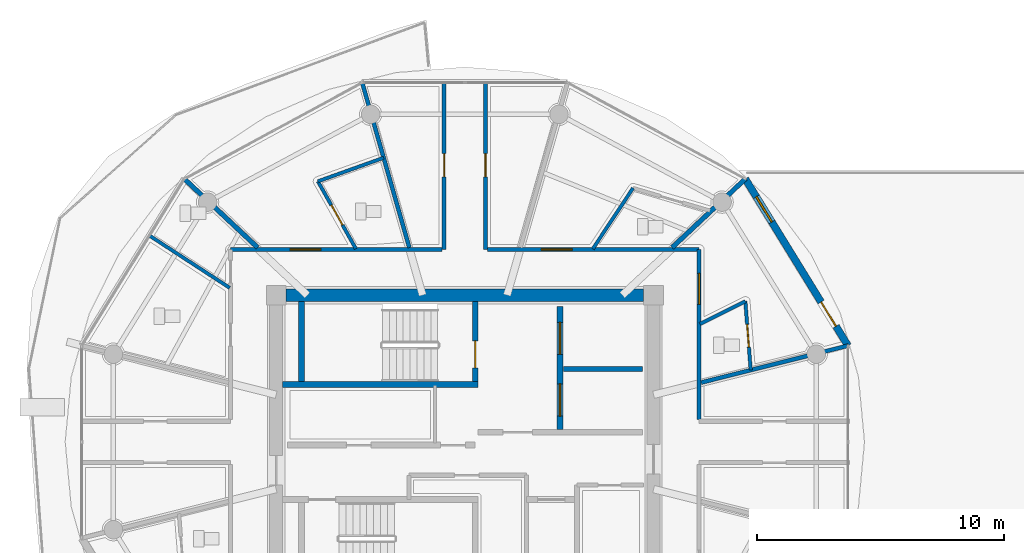
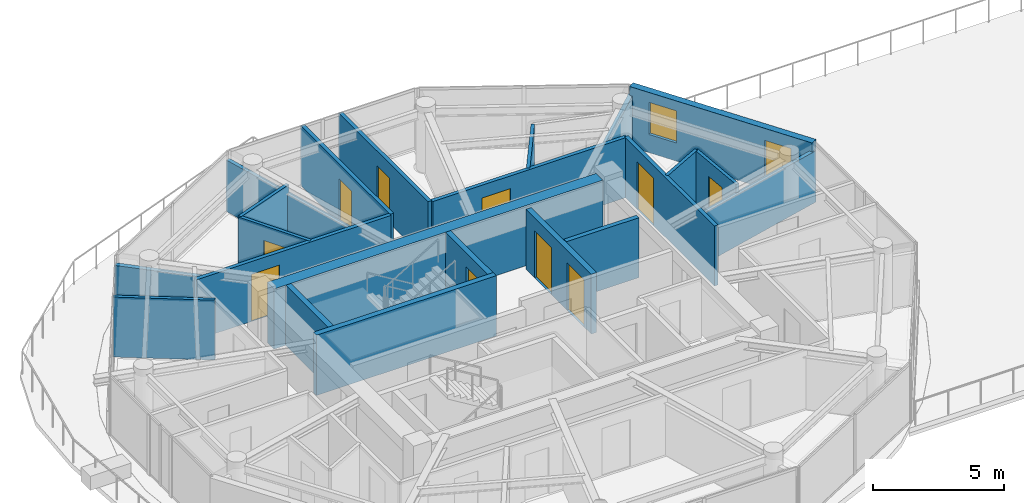
# One storey, part 15 of 30: 22 walls, 11 doors, 1 window, 12 openings.
"""IFC4 building model written with IfcOpenShell, lengths in metres."""

from ifc_helpers import new_model, si_unit, direction, frame, frame_2d, origin, place, context, subcontext, project, spatial, rectangle, extrude, source, transform, mapped, material, layer, layer_set, type_object, type_shapes, element, fill, save


model = new_model("IFC4")

# Units and contexts
model_context = context("Model", 3, precision=1e-05, world=origin(), true_north=direction((0.0, 1.0)))
body_context = subcontext(model_context, "Body", "Model", "MODEL_VIEW")
ifc_project = project(units=[si_unit("LENGTHUNIT", "METRE"), si_unit("AREAUNIT", "SQUARE_METRE"), si_unit("VOLUMEUNIT", "CUBIC_METRE"), si_unit("PLANEANGLEUNIT", "RADIAN"), si_unit("MASSUNIT", "GRAM", prefix="KILO")], contexts=[model_context])

# Site, building, storey
site_placement = place(None, origin())
site = spatial("IfcSite", under=ifc_project, at=site_placement, CompositionType="ELEMENT")
building_placement = place(site_placement, origin())
building = spatial("IfcBuilding", under=site, at=building_placement, Name="Norrkilde Senior Care Towers", CompositionType="ELEMENT")
storey_placement = place(building_placement, frame((0.0, 0.0, 232.199951171875)))
storey = spatial("IfcBuildingStorey", under=building, at=storey_placement, Name="L72", CompositionType="ELEMENT", Elevation=232.199951171875)

# Wall
ifc_material_1 = material(Name="Concrete C50/60", Category="concrete")
ifc_layer_1 = layer(ifc_material_1, 0.52001953125)
ifc_layer_set_1 = layer_set([ifc_layer_1], Name="Concrete C50/60")
wall_type_1 = type_object("IfcWallType", Name="Core Shear Wall Z4 520", PredefinedType="SHEAR", material=ifc_layer_set_1)
shared_shape_1 = source(origin(), body_context, "Body", "SweptSolid", [
    extrude(rectangle(XDim=14.5, YDim=0.52001953125, at=frame_2d((7.25, 0.0))), origin(), (0.0, 0.0, 1.0), 2.81005859375),
])
type_shapes(wall_type_1, [shared_shape_1])
wall_1_placement = place(storey_placement, frame((-35.25, 5.949951171875, 0.0), z_axis=(0.0, 0.0, 1.0), x_axis=(1.0, 0.0, 0.0)))
element("IfcWall", 1, at=wall_1_placement, inside=storey, type_object=wall_type_1, Name="L72 Core W North Shear Wall", PredefinedType="SHEAR", context=body_context, shape_type="MappedRepresentation", body=[
    mapped(shared_shape_1, transform((0.0, 0.0, 0.0), x_axis=(1.0, 0.0, 0.0), y_axis=(0.0, 1.0, 0.0), z_axis=(0.0, 0.0, 1.0), scale=1.0)),
])

# Wall, openings, door, window
ifc_material_2 = material(Name="Precast concrete C45/55", Category="concrete")
ifc_layer_2 = layer(ifc_material_2, 0.2900390625)
ifc_layer_set_2 = layer_set([ifc_layer_2], Name="Precast concrete C45/55")
wall_type_2 = type_object("IfcWallType", Name="Winter Garden Facade Wall 290", PredefinedType="SOLIDWALL", material=ifc_layer_set_2)
shared_shape_2 = source(origin(), body_context, "Body", "SweptSolid", [
    extrude(rectangle(XDim=7.938232421875, YDim=0.2900390625, at=frame_2d((3.96923828125, 0.0))), origin(), (0.0, 0.0, 1.0), 2.81005859375),
])
type_shapes(wall_type_2, [shared_shape_2])
wall_2_placement = place(storey_placement, frame((-16.629638671875, 10.6630859375, 0.0), z_axis=(0.0, 0.0, 1.0), x_axis=(0.524244987663, -0.851567491694, 0.0)))
wall_2 = element("IfcWall", 2, at=wall_2_placement, inside=storey, type_object=wall_type_2, Name="L72 Drum W Balcony Access Wall 00", PredefinedType="SOLIDWALL", context=body_context, shape_type="MappedRepresentation", body=[
    mapped(shared_shape_2, transform((0.0, 0.0, 0.0), x_axis=(1.0, 0.0, 0.0), y_axis=(0.0, 1.0, 0.0), z_axis=(0.0, 0.0, 1.0), scale=1.0)),
])
opening_1_placement = place(wall_2_placement, frame((5.860107421875, 0.0, 0.0)))
opening_1 = element("IfcOpeningElement", 3, at=opening_1_placement, cuts=wall_2, Name="Opening D-09", PredefinedType="OPENING", context=body_context, shape_type="SweptSolid", body=[
    extrude(rectangle(XDim=1.14990234375, YDim=2.25, at=frame_2d((0.574951171875, 1.125))), frame((0.0, 0.155029296875, 0.0), z_axis=(0.0, -1.0, 0.0), x_axis=(1.0, 0.0, 0.0)), (0.0, 0.0, 1.0), 0.31005859375),
])
opening_2_placement = place(wall_2_placement, frame((0.85009765625, 0.0, 0.85009765625)))
opening_2 = element("IfcOpeningElement", 4, at=opening_2_placement, cuts=wall_2, Name="Opening WN-07", PredefinedType="OPENING", context=body_context, shape_type="SweptSolid", body=[
    extrude(rectangle(XDim=1.199951171875, YDim=1.5, at=frame_2d((0.60009765625, 0.75))), frame((0.0, 0.155029296875, 0.0), z_axis=(0.0, -1.0, 0.0), x_axis=(1.0, 0.0, 0.0)), (0.0, 0.0, 1.0), 0.31005859375),
])
ifc_material_3 = material(Name="Anodised Aluminium", Category="aluminium")
door_type_1 = type_object("IfcDoorType", Name="Terrace and Balcony Glazed Door 1150x2250", OperationType="NOTDEFINED", PredefinedType="DOOR", material=ifc_material_3)
shared_shape_3 = source(origin(), body_context, "Body", "SweptSolid", [
    extrude(rectangle(XDim=1.14990234375, YDim=2.25, at=frame_2d((0.574951171875, 1.125))), frame((0.0, 0.02490234375, 0.0), z_axis=(0.0, -1.0, 0.0), x_axis=(1.0, 0.0, 0.0)), (0.0, 0.0, 1.0), 0.050048828125),
])
type_shapes(door_type_1, [shared_shape_3])
door_1_placement = place(opening_1_placement, origin())
door_1 = element("IfcDoor", 5, at=door_1_placement, inside=storey, type_object=door_type_1, Name="L72 Drum W Outdoor Terrace Door 00", OperationType="SINGLE_SWING_LEFT", OverallHeight=2.25, OverallWidth=1.14990234375, PredefinedType="DOOR", context=body_context, shape_type="MappedRepresentation", body=[
    mapped(shared_shape_3, transform((0.0, 0.0, 0.0), x_axis=(1.0, 0.0, 0.0), y_axis=(0.0, 1.0, 0.0), z_axis=(0.0, 0.0, 1.0), scale=1.0)),
])
fill(opening_1, door_1)
ifc_material_4 = material(Name="Triple Low-E Insulated Glazing", Category="glass")
window_type = type_object("IfcWindowType", Name="Stairwell Smoke Vent Window 1200x1500", PartitioningType="SINGLE_PANEL", PredefinedType="WINDOW", material=ifc_material_4)
shared_shape_4 = source(origin(), body_context, "Body", "SweptSolid", [
    extrude(rectangle(XDim=1.199951171875, YDim=1.5, at=frame_2d((0.60009765625, 0.75))), frame((0.0, 0.030029296875, 0.0), z_axis=(0.0, -1.0, 0.0), x_axis=(1.0, 0.0, 0.0)), (0.0, 0.0, 1.0), 0.06005859375),
])
type_shapes(window_type, [shared_shape_4])
window_placement = place(opening_2_placement, origin())
window = element("IfcWindow", 6, at=window_placement, inside=storey, type_object=window_type, Name="L72 Drum W Winter Garden Window 00", OverallHeight=1.5, OverallWidth=1.199951171875, PartitioningType="SINGLE_PANEL", PredefinedType="WINDOW", context=body_context, shape_type="MappedRepresentation", body=[
    mapped(shared_shape_4, transform((0.0, 0.0, 0.0), x_axis=(1.0, 0.0, 0.0), y_axis=(0.0, 1.0, 0.0), z_axis=(0.0, 0.0, 1.0), scale=1.0)),
])
fill(opening_2, window)

# Wall, openings, doors
ifc_material_5 = material(Name="Concrete C45/55", Category="concrete")
ifc_layer_3 = layer(ifc_material_5, 0.239990234375)
ifc_layer_set_3 = layer_set([ifc_layer_3], Name="Concrete C45/55")
wall_type_3 = type_object("IfcWallType", Name="Lift and Plant Rated Enclosure Partition 240", PredefinedType="PARTITIONING", material=ifc_layer_set_3)
shared_shape_5 = source(origin(), body_context, "Body", "SweptSolid", [
    extrude(rectangle(XDim=5.0, YDim=0.239990234375, at=frame_2d((2.5, 0.0))), origin(), (0.0, 0.0, 1.0), 2.795166015625),
])
type_shapes(wall_type_3, [shared_shape_5])
wall_3_placement = place(storey_placement, frame((-24.139892578125, 0.5, 0.0), z_axis=(0.0, 0.0, 1.0), x_axis=(0.0, 1.0, 0.0)))
wall_3 = element("IfcWall", 7, at=wall_3_placement, inside=storey, type_object=wall_type_3, Name="WL-INT-L72-W-FFLE", PredefinedType="PARTITIONING", context=body_context, shape_type="MappedRepresentation", body=[
    mapped(shared_shape_5, transform((0.0, 0.0, 0.0), x_axis=(1.0, 0.0, 0.0), y_axis=(0.0, 1.0, 0.0), z_axis=(0.0, 0.0, 1.0), scale=1.0)),
])
opening_3_placement = place(wall_3_placement, frame((3.050048828125, 0.0, 0.0)))
opening_3 = element("IfcOpeningElement", 8, at=opening_3_placement, cuts=wall_3, Name="Opening LD-02", PredefinedType="OPENING", context=body_context, shape_type="SweptSolid", body=[
    extrude(rectangle(XDim=1.300048828125, YDim=2.199951171875, at=frame_2d((0.64990234375, 1.10009765625))), frame((0.0, 0.1298828125, 0.0), z_axis=(0.0, -1.0, 0.0), x_axis=(1.0, 0.0, 0.0)), (0.0, 0.0, 1.0), 0.260009765625),
])
opening_4_placement = place(wall_3_placement, frame((0.550048828125, 0.0, 0.0)))
opening_4 = element("IfcOpeningElement", 9, at=opening_4_placement, cuts=wall_3, Name="Opening LD-02", PredefinedType="OPENING", context=body_context, shape_type="SweptSolid", body=[
    extrude(rectangle(XDim=1.300048828125, YDim=2.199951171875, at=frame_2d((0.64990234375, 1.10009765625))), frame((0.0, 0.1298828125, 0.0), z_axis=(0.0, -1.0, 0.0), x_axis=(1.0, 0.0, 0.0)), (0.0, 0.0, 1.0), 0.260009765625),
])
ifc_material_6 = material(Name="Stainless Steel", Category="steel")
door_type_2 = type_object("IfcDoorType", Name="Stretcher and FFL Landing Sliding Door 1300x2200", OperationType="NOTDEFINED", PredefinedType="DOOR", material=ifc_material_6)
shared_shape_6 = source(origin(), body_context, "Body", "SweptSolid", [
    extrude(rectangle(XDim=1.300048828125, YDim=2.199951171875, at=frame_2d((0.64990234375, 1.10009765625))), frame((0.0, 0.02490234375, 0.0), z_axis=(0.0, -1.0, 0.0), x_axis=(1.0, 0.0, 0.0)), (0.0, 0.0, 1.0), 0.050048828125),
])
type_shapes(door_type_2, [shared_shape_6])
door_2_placement = place(opening_3_placement, origin())
door_2 = element("IfcDoor", 10, at=door_2_placement, inside=storey, type_object=door_type_2, Name="L72 Firefighting Lift W1 Landing Door", OperationType="SLIDING_TO_LEFT", OverallHeight=2.199951171875, OverallWidth=1.300048828125, PredefinedType="DOOR", context=body_context, shape_type="MappedRepresentation", body=[
    mapped(shared_shape_6, transform((0.0, 0.0, 0.0), x_axis=(1.0, 0.0, 0.0), y_axis=(0.0, 1.0, 0.0), z_axis=(0.0, 0.0, 1.0), scale=1.0)),
])
fill(opening_3, door_2)
door_3_placement = place(opening_4_placement, origin())
door_3 = element("IfcDoor", 11, at=door_3_placement, inside=storey, type_object=door_type_2, Name="L72 Stretcher Lift W1 Landing Door", OperationType="SLIDING_TO_RIGHT", OverallHeight=2.199951171875, OverallWidth=1.300048828125, PredefinedType="DOOR", context=body_context, shape_type="MappedRepresentation", body=[
    mapped(shared_shape_6, transform((0.0, 0.0, 0.0), x_axis=(1.0, 0.0, 0.0), y_axis=(0.0, 1.0, 0.0), z_axis=(0.0, 0.0, 1.0), scale=1.0)),
])
fill(opening_4, door_3)

# Wall
ifc_layer_4 = layer(ifc_material_5, 0.199951171875)
ifc_layer_set_4 = layer_set([ifc_layer_4], Name="Concrete C45/55")
wall_type_4 = type_object("IfcWallType", Name="Shaft Division and Plant Partition 200", PredefinedType="PARTITIONING", material=ifc_layer_set_4)
shared_shape_7 = source(origin(), body_context, "Body", "SweptSolid", [
    extrude(rectangle(XDim=3.199951171875, YDim=0.199951171875, at=frame_2d((1.60009765625, 0.0))), origin(), (0.0, 0.0, 1.0), 2.795166015625),
])
type_shapes(wall_type_4, [shared_shape_7])
wall_4_placement = place(storey_placement, frame((-24.0, 2.949951171875, 0.0), z_axis=(0.0, 0.0, 1.0), x_axis=(1.0, 0.0, 0.0)))
element("IfcWall", 12, at=wall_4_placement, inside=storey, type_object=wall_type_4, Name="WL-INT-L72-W-FFLDIV", PredefinedType="PARTITIONING", context=body_context, shape_type="MappedRepresentation", body=[
    mapped(shared_shape_7, transform((0.0, 0.0, 0.0), x_axis=(1.0, 0.0, 0.0), y_axis=(0.0, 1.0, 0.0), z_axis=(0.0, 0.0, 1.0), scale=1.0)),
])

# Wall, opening, door
ifc_material_7 = material(Name="Gypsum Acoustic Board")
ifc_layer_5 = layer(ifc_material_7, 0.1650390625)
ifc_layer_set_5 = layer_set([ifc_layer_5], Name="Gypsum Acoustic Board")
wall_type_5 = type_object("IfcWallType", Name="Corridor Rated Partition 165", PredefinedType="PARTITIONING", material=ifc_layer_set_5)
shared_shape_8 = source(origin(), body_context, "Body", "SweptSolid", [
    extrude(rectangle(XDim=8.580078125, YDim=0.1650390625, at=frame_2d((4.2900390625, 0.0))), origin(), (0.0, 0.0, 1.0), 2.795166015625),
])
wall_5_placement = place(storey_placement, frame((-37.5, 7.800048828125, 0.0), z_axis=(0.0, 0.0, 1.0), x_axis=(1.0, 0.0, 0.0)))
wall_5 = element("IfcWall", 13, at=wall_5_placement, inside=storey, type_object=wall_type_5, Name="WL-INT-L72-W-CRW-N-0", PredefinedType="PARTITIONING", context=body_context, shape_type="MappedRepresentation", body=[
    mapped(shared_shape_8, transform((0.0, 0.0, 0.0), x_axis=(1.0, 0.0, 0.0), y_axis=(0.0, 1.0, 0.0), z_axis=(0.0, 0.0, 1.0), scale=1.0)),
])
opening_5_placement = place(wall_5_placement, frame((2.41455078125, 0.0, 0.0)))
opening_5 = element("IfcOpeningElement", 14, at=opening_5_placement, cuts=wall_5, Name="Opening D-05", PredefinedType="OPENING", context=body_context, shape_type="SweptSolid", body=[
    extrude(rectangle(XDim=1.25, YDim=2.199951171875, at=frame_2d((0.625, 1.10009765625))), frame((0.0, 0.092529296875, 0.0), z_axis=(0.0, -1.0, 0.0), x_axis=(1.0, 0.0, 0.0)), (0.0, 0.0, 1.0), 0.18505859375),
])
ifc_material_8 = material(Name="Nordic Ash Timber", Category="wood")
door_type_3 = type_object("IfcDoorType", Name="Care Bedroom Bariatric Door 1250x2200", OperationType="NOTDEFINED", PredefinedType="DOOR", material=ifc_material_8)
shared_shape_9 = source(origin(), body_context, "Body", "SweptSolid", [
    extrude(rectangle(XDim=1.25, YDim=2.199951171875, at=frame_2d((0.625, 1.10009765625))), frame((0.0, 0.02490234375, 0.0), z_axis=(0.0, -1.0, 0.0), x_axis=(1.0, 0.0, 0.0)), (0.0, 0.0, 1.0), 0.050048828125),
])
type_shapes(door_type_3, [shared_shape_9])
door_4_placement = place(opening_5_placement, frame((1.25, 0.0, 0.0), z_axis=(0.0, 0.0, 1.0), x_axis=(-1.0, 0.0, 0.0)))
door_4 = element("IfcDoor", 15, at=door_4_placement, inside=storey, type_object=door_type_3, Name="L72 Care Suite 7203 Entrance Door", OperationType="SINGLE_SWING_LEFT", OverallHeight=2.199951171875, OverallWidth=1.25, PredefinedType="DOOR", context=body_context, shape_type="MappedRepresentation", body=[
    mapped(shared_shape_9, transform((0.0, 0.0, 0.0), x_axis=(1.0, 0.0, 0.0), y_axis=(0.0, 1.0, 0.0), z_axis=(0.0, 0.0, 1.0), scale=1.0)),
])
fill(opening_5, door_4)

wall_6_placement = place(storey_placement, frame((-27.080078125, 7.800048828125, 0.0), z_axis=(0.0, 0.0, 1.0), x_axis=(1.0, 0.0, 0.0)))
wall_6 = element("IfcWall", 16, at=wall_6_placement, inside=storey, type_object=wall_type_5, Name="WL-INT-L72-W-CRW-N-1", PredefinedType="PARTITIONING", context=body_context, shape_type="MappedRepresentation", body=[
    mapped(shared_shape_8, transform((0.0, 0.0, 0.0), x_axis=(1.0, 0.0, 0.0), y_axis=(0.0, 1.0, 0.0), z_axis=(0.0, 0.0, 1.0), scale=1.0)),
])
opening_6_placement = place(wall_6_placement, frame((2.18017578125, 0.0, 0.0)))
opening_6 = element("IfcOpeningElement", 17, at=opening_6_placement, cuts=wall_6, Name="Opening D-05", PredefinedType="OPENING", context=body_context, shape_type="SweptSolid", body=[
    extrude(rectangle(XDim=1.25, YDim=2.199951171875, at=frame_2d((0.625, 1.10009765625))), frame((0.0, 0.092529296875, 0.0), z_axis=(0.0, -1.0, 0.0), x_axis=(1.0, 0.0, 0.0)), (0.0, 0.0, 1.0), 0.18505859375),
])
door_5_placement = place(opening_6_placement, frame((1.25, 0.0, 0.0), z_axis=(0.0, 0.0, 1.0), x_axis=(-1.0, 0.0, 0.0)))
door_5 = element("IfcDoor", 18, at=door_5_placement, inside=storey, type_object=door_type_3, Name="L72 Care Suite 7201 Entrance Door", OperationType="SINGLE_SWING_RIGHT", OverallHeight=2.199951171875, OverallWidth=1.25, PredefinedType="DOOR", context=body_context, shape_type="MappedRepresentation", body=[
    mapped(shared_shape_9, transform((0.0, 0.0, 0.0), x_axis=(1.0, 0.0, 0.0), y_axis=(0.0, 1.0, 0.0), z_axis=(0.0, 0.0, 1.0), scale=1.0)),
])
fill(opening_6, door_5)

shared_shape_10 = source(origin(), body_context, "Body", "SweptSolid", [
    extrude(rectangle(XDim=6.880126953125, YDim=0.1650390625, at=frame_2d((3.43994140625, 0.0))), origin(), (0.0, 0.0, 1.0), 2.795166015625),
])
wall_7_placement = place(storey_placement, frame((-18.5, 7.800048828125, 0.0), z_axis=(0.0, 0.0, 1.0), x_axis=(0.0, -1.0, 0.0)))
wall_7 = element("IfcWall", 19, at=wall_7_placement, inside=storey, type_object=wall_type_5, Name="WL-INT-L72-W-CRW-E-0", PredefinedType="PARTITIONING", context=body_context, shape_type="MappedRepresentation", body=[
    mapped(shared_shape_10, transform((0.0, 0.0, 0.0), x_axis=(1.0, 0.0, 0.0), y_axis=(0.0, 1.0, 0.0), z_axis=(0.0, 0.0, 1.0), scale=1.0)),
])
opening_7_placement = place(wall_7_placement, frame((0.96826171875, 0.0, 0.0)))
opening_7 = element("IfcOpeningElement", 20, at=opening_7_placement, cuts=wall_7, Name="Opening D-05", PredefinedType="OPENING", context=body_context, shape_type="SweptSolid", body=[
    extrude(rectangle(XDim=1.25, YDim=2.199951171875, at=frame_2d((0.625, 1.10009765625))), frame((0.0, 0.092529296875, 0.0), z_axis=(0.0, -1.0, 0.0), x_axis=(1.0, 0.0, 0.0)), (0.0, 0.0, 1.0), 0.18505859375),
])
door_6_placement = place(opening_7_placement, frame((1.25, 0.0, 0.0), z_axis=(0.0, 0.0, 1.0), x_axis=(-1.0, 0.0, 0.0)))
door_6 = element("IfcDoor", 21, at=door_6_placement, inside=storey, type_object=door_type_3, Name="L72 Care Suite 7200 Entrance Door", OperationType="SINGLE_SWING_LEFT", OverallHeight=2.199951171875, OverallWidth=1.25, PredefinedType="DOOR", context=body_context, shape_type="MappedRepresentation", body=[
    mapped(shared_shape_9, transform((0.0, 0.0, 0.0), x_axis=(1.0, 0.0, 0.0), y_axis=(0.0, 1.0, 0.0), z_axis=(0.0, 0.0, 1.0), scale=1.0)),
])
fill(opening_7, door_6)

# Walls
ifc_layer_6 = layer(ifc_material_5, 0.239990234375)
ifc_layer_set_6 = layer_set([ifc_layer_6], Name="Concrete C45/55")
wall_type_6 = type_object("IfcWallType", Name="Shaft and Stair Enclosure Wall 240", PredefinedType="PARTITIONING", material=ifc_layer_set_6)
shared_shape_11 = source(origin(), body_context, "Body", "SweptSolid", [
    extrude(rectangle(XDim=7.929931640625, YDim=0.239990234375, at=frame_2d((3.96484375, 0.0))), origin(), (0.0, 0.0, 1.0), 2.81005859375),
])
wall_8_placement = place(storey_placement, frame((-35.389892578125, 2.330078125, 0.0), z_axis=(0.0, 0.0, 1.0), x_axis=(1.0, 0.0, 0.0)))
element("IfcWall", 22, at=wall_8_placement, inside=storey, type_object=wall_type_6, Name="WL-INT-L72-W-ST1S", PredefinedType="PARTITIONING", context=body_context, shape_type="MappedRepresentation", body=[
    mapped(shared_shape_11, transform((0.0, 0.0, 0.0), x_axis=(1.0, 0.0, 0.0), y_axis=(0.0, 1.0, 0.0), z_axis=(0.0, 0.0, 1.0), scale=1.0)),
])
shared_shape_12 = source(origin(), body_context, "Body", "SweptSolid", [
    extrude(rectangle(XDim=3.239990234375, YDim=0.239990234375, at=frame_2d((1.6201171875, 0.0))), origin(), (0.0, 0.0, 1.0), 2.81005859375),
])
type_shapes(wall_type_6, [shared_shape_11, shared_shape_12])
wall_9_placement = place(storey_placement, frame((-34.6201171875, 2.449951171875, 0.0), z_axis=(0.0, 0.0, 1.0), x_axis=(0.0, 1.0, 0.0)))
element("IfcWall", 23, at=wall_9_placement, inside=storey, type_object=wall_type_6, Name="WL-INT-L72-W-ST1W", PredefinedType="PARTITIONING", context=body_context, shape_type="MappedRepresentation", body=[
    mapped(shared_shape_12, transform((0.0, 0.0, 0.0), x_axis=(1.0, 0.0, 0.0), y_axis=(0.0, 1.0, 0.0), z_axis=(0.0, 0.0, 1.0), scale=1.0)),
])

# Wall, opening, door
wall_10_placement = place(storey_placement, frame((-27.580078125, 2.449951171875, 0.0), z_axis=(0.0, 0.0, 1.0), x_axis=(0.0, 1.0, 0.0)))
wall_10 = element("IfcWall", 24, at=wall_10_placement, inside=storey, type_object=wall_type_6, Name="WL-INT-L72-W-ST1E", PredefinedType="PARTITIONING", context=body_context, shape_type="MappedRepresentation", body=[
    mapped(shared_shape_12, transform((0.0, 0.0, 0.0), x_axis=(1.0, 0.0, 0.0), y_axis=(0.0, 1.0, 0.0), z_axis=(0.0, 0.0, 1.0), scale=1.0)),
])
opening_8_placement = place(wall_10_placement, frame((0.550048828125, 0.0, 0.0)))
opening_8 = element("IfcOpeningElement", 25, at=opening_8_placement, cuts=wall_10, Name="Opening D-03", PredefinedType="OPENING", context=body_context, shape_type="SweptSolid", body=[
    extrude(rectangle(XDim=1.10009765625, YDim=2.14990234375, at=frame_2d((0.550048828125, 1.074951171875))), frame((0.0, 0.1298828125, 0.0), z_axis=(0.0, -1.0, 0.0), x_axis=(1.0, 0.0, 0.0)), (0.0, 0.0, 1.0), 0.260009765625),
])
ifc_material_9 = material(Name="Galvanised Painted Steel", Category="steel")
door_type_4 = type_object("IfcDoorType", Name="Stairwell Protected Fire Door 1100x2150", OperationType="NOTDEFINED", PredefinedType="DOOR", material=ifc_material_9)
shared_shape_13 = source(origin(), body_context, "Body", "SweptSolid", [
    extrude(rectangle(XDim=1.10009765625, YDim=2.14990234375, at=frame_2d((0.550048828125, 1.074951171875))), frame((0.0, 0.02490234375, 0.0), z_axis=(0.0, -1.0, 0.0), x_axis=(1.0, 0.0, 0.0)), (0.0, 0.0, 1.0), 0.050048828125),
])
type_shapes(door_type_4, [shared_shape_13])
door_7_placement = place(opening_8_placement, origin())
door_7 = element("IfcDoor", 26, at=door_7_placement, inside=storey, type_object=door_type_4, Name="L72 Stair W1 Fire Door", OperationType="SINGLE_SWING_LEFT", OverallHeight=2.14990234375, OverallWidth=1.10009765625, PredefinedType="DOOR", context=body_context, shape_type="MappedRepresentation", body=[
    mapped(shared_shape_13, transform((0.0, 0.0, 0.0), x_axis=(1.0, 0.0, 0.0), y_axis=(0.0, 1.0, 0.0), z_axis=(0.0, 0.0, 1.0), scale=1.0)),
])
fill(opening_8, door_7)

# Walls
shared_shape_14 = source(origin(), body_context, "Body", "SweptSolid", [
    extrude(rectangle(XDim=6.973876953125, YDim=0.1650390625, at=frame_2d((3.48681640625, 0.0))), origin(), (0.0, 0.0, 1.0), 2.39501953125),
])
wall_11_placement = place(storey_placement, frame((-30.251220703125, 7.8798828125, 0.0), z_axis=(0.0, 0.0, 1.0), x_axis=(-0.274707256801, 0.961527910703, 0.0)))
element("IfcWall", 27, at=wall_11_placement, inside=storey, type_object=wall_type_5, Name="WL-INT-L72-W-DEM-03-0", PredefinedType="PARTITIONING", context=body_context, shape_type="MappedRepresentation", body=[
    mapped(shared_shape_14, transform((0.0, 0.0, 0.0), x_axis=(1.0, 0.0, 0.0), y_axis=(0.0, 1.0, 0.0), z_axis=(0.0, 0.0, 1.0), scale=1.0)),
])
shared_shape_15 = source(origin(), body_context, "Body", "SweptSolid", [
    extrude(rectangle(XDim=6.1572265625, YDim=0.1650390625, at=frame_2d((3.07861328125, 0.0))), origin(), (0.0, 0.0, 1.0), 2.39501953125),
])
wall_12_placement = place(storey_placement, frame((-18.419921875, 2.407470703125, 0.0), z_axis=(0.0, 0.0, 1.0), x_axis=(0.969840867184, 0.243738984038, 0.0)))
element("IfcWall", 28, at=wall_12_placement, inside=storey, type_object=wall_type_5, Name="WL-INT-L72-W-DEM-00-0", PredefinedType="PARTITIONING", context=body_context, shape_type="MappedRepresentation", body=[
    mapped(shared_shape_15, transform((0.0, 0.0, 0.0), x_axis=(1.0, 0.0, 0.0), y_axis=(0.0, 1.0, 0.0), z_axis=(0.0, 0.0, 1.0), scale=1.0)),
])

# Wall, opening, door
shared_shape_16 = source(origin(), body_context, "Body", "SweptSolid", [
    extrude(rectangle(XDim=6.83544921875, YDim=0.1650390625, at=frame_2d((3.417724609375, 0.0))), origin(), (0.0, 0.0, 1.0), 2.795166015625),
])
type_shapes(wall_type_5, [shared_shape_8, shared_shape_10, shared_shape_14, shared_shape_15, shared_shape_16])
wall_13_placement = place(storey_placement, frame((-28.840087890625, 7.800048828125, 0.0), z_axis=(0.0, 0.0, 1.0), x_axis=(0.0, 1.0, 0.0)))
wall_13 = element("IfcWall", 29, at=wall_13_placement, inside=storey, type_object=wall_type_5, Name="WL-INT-L72-W-SPK-N1-0", PredefinedType="PARTITIONING", context=body_context, shape_type="MappedRepresentation", body=[
    mapped(shared_shape_16, transform((0.0, 0.0, 0.0), x_axis=(1.0, 0.0, 0.0), y_axis=(0.0, 1.0, 0.0), z_axis=(0.0, 0.0, 1.0), scale=1.0)),
])
opening_9_placement = place(wall_13_placement, frame((2.942626953125, 0.0, 0.0)))
opening_9 = element("IfcOpeningElement", 30, at=opening_9_placement, cuts=wall_13, Name="Opening D-07", PredefinedType="OPENING", context=body_context, shape_type="SweptSolid", body=[
    extrude(rectangle(XDim=0.949951171875, YDim=2.10009765625, at=frame_2d((0.47509765625, 1.050048828125))), frame((0.0, 0.092529296875, 0.0), z_axis=(0.0, -1.0, 0.0), x_axis=(1.0, 0.0, 0.0)), (0.0, 0.0, 1.0), 0.18505859375),
])
door_type_5 = type_object("IfcDoorType", Name="Internal Suite Bedroom Door 950x2100", OperationType="NOTDEFINED", PredefinedType="DOOR", material=ifc_material_8)
shared_shape_17 = source(origin(), body_context, "Body", "SweptSolid", [
    extrude(rectangle(XDim=0.949951171875, YDim=2.10009765625, at=frame_2d((0.47509765625, 1.050048828125))), frame((0.0, 0.02490234375, 0.0), z_axis=(0.0, -1.0, 0.0), x_axis=(1.0, 0.0, 0.0)), (0.0, 0.0, 1.0), 0.050048828125),
])
type_shapes(door_type_5, [shared_shape_17])
door_8_placement = place(opening_9_placement, frame((0.949951171875, 0.0, 0.0), z_axis=(0.0, 0.0, 1.0), x_axis=(-1.0, 0.0, 0.0)))
door_8 = element("IfcDoor", 31, at=door_8_placement, inside=storey, type_object=door_type_5, Name="L72 Sun Reading Lounge 3 Door", OperationType="SINGLE_SWING_RIGHT", OverallHeight=2.10009765625, OverallWidth=0.949951171875, PredefinedType="DOOR", context=body_context, shape_type="MappedRepresentation", body=[
    mapped(shared_shape_17, transform((0.0, 0.0, 0.0), x_axis=(1.0, 0.0, 0.0), y_axis=(0.0, 1.0, 0.0), z_axis=(0.0, 0.0, 1.0), scale=1.0)),
])
fill(opening_9, door_8)

wall_14_placement = place(storey_placement, frame((-27.159912109375, 14.635498046875, 0.0), z_axis=(0.0, 0.0, 1.0), x_axis=(0.0, -1.0, 0.0)))
wall_14 = element("IfcWall", 32, at=wall_14_placement, inside=storey, type_object=wall_type_5, Name="WL-INT-L72-W-SPK-N2-0", PredefinedType="PARTITIONING", context=body_context, shape_type="MappedRepresentation", body=[
    mapped(shared_shape_16, transform((0.0, 0.0, 0.0), x_axis=(1.0, 0.0, 0.0), y_axis=(0.0, 1.0, 0.0), z_axis=(0.0, 0.0, 1.0), scale=1.0)),
])
opening_10_placement = place(wall_14_placement, frame((2.942626953125, 0.0, 0.0)))
opening_10 = element("IfcOpeningElement", 33, at=opening_10_placement, cuts=wall_14, Name="Opening D-07", PredefinedType="OPENING", context=body_context, shape_type="SweptSolid", body=[
    extrude(rectangle(XDim=0.949951171875, YDim=2.10009765625, at=frame_2d((0.47509765625, 1.050048828125))), frame((0.0, 0.092529296875, 0.0), z_axis=(0.0, -1.0, 0.0), x_axis=(1.0, 0.0, 0.0)), (0.0, 0.0, 1.0), 0.18505859375),
])
door_9_placement = place(opening_10_placement, frame((0.949951171875, 0.0, 0.0), z_axis=(0.0, 0.0, 1.0), x_axis=(-1.0, 0.0, 0.0)))
door_9 = element("IfcDoor", 34, at=door_9_placement, inside=storey, type_object=door_type_5, Name="L72 Sun Reading Lounge 4 Door", OperationType="SINGLE_SWING_LEFT", OverallHeight=2.10009765625, OverallWidth=0.949951171875, PredefinedType="DOOR", context=body_context, shape_type="MappedRepresentation", body=[
    mapped(shared_shape_17, transform((0.0, 0.0, 0.0), x_axis=(1.0, 0.0, 0.0), y_axis=(0.0, 1.0, 0.0), z_axis=(0.0, 0.0, 1.0), scale=1.0)),
])
fill(opening_10, door_9)

# Walls
ifc_layer_7 = layer(ifc_material_7, 0.18994140625)
ifc_layer_set_7 = layer_set([ifc_layer_7], Name="Gypsum Acoustic Board")
wall_type_7 = type_object("IfcWallType", Name="Unit Demising Acoustic Wall 190", PredefinedType="PARTITIONING", material=ifc_layer_set_7)
shared_shape_18 = source(origin(), body_context, "Body", "SweptSolid", [
    extrude(rectangle(XDim=4.089111328125, YDim=0.18994140625, at=frame_2d((2.04443359375, 0.0))), origin(), (0.0, 0.0, 1.0), 2.39501953125),
])
type_shapes(wall_type_7, [shared_shape_18])
for number, where, z_axis, x_axis, name in (
    (35, (-19.59814453125, 7.8798828125, 0.0), (0.0, 0.0, 1.0), (0.729401273609, 0.684086092577, 0.0), "WL-INT-L72-W-DEM-01-0"),
    (36, (-36.40185546875, 7.8798828125, 0.0), (0.0, 0.0, 1.0), (-0.729401273609, 0.684086092577, 0.0), "WL-INT-L72-W-DEM-04-0"),
):
    element("IfcWall", number, at=place(storey_placement, frame(where, z_axis=z_axis, x_axis=x_axis)), inside=storey, type_object=wall_type_7, Name=name, PredefinedType="PARTITIONING", context=body_context, shape_type="MappedRepresentation", body=[
        mapped(shared_shape_18, transform((0.0, 0.0, 0.0), x_axis=(1.0, 0.0, 0.0), y_axis=(0.0, 1.0, 0.0), z_axis=(0.0, 0.0, 1.0), scale=1.0)),
    ])
ifc_layer_8 = layer(ifc_material_7, 0.139892578125)
ifc_layer_set_8 = layer_set([ifc_layer_8], Name="Gypsum Acoustic Board")
wall_type_8 = type_object("IfcWallType", Name="En-suite Wet Room Wall 140", PredefinedType="PARTITIONING", material=ifc_layer_set_8)
shared_shape_19 = source(origin(), body_context, "Body", "SweptSolid", [
    extrude(rectangle(XDim=3.903564453125, YDim=0.139892578125, at=frame_2d((1.95166015625, 0.0))), origin(), (0.0, 0.0, 1.0), 2.795166015625),
])
wall_15_placement = place(storey_placement, frame((-37.530029296875, 6.245849609375, 0.0), z_axis=(0.0, 0.0, 1.0), x_axis=(-0.838024687996, 0.545632314209, 0.0)))
element("IfcWall", 37, at=wall_15_placement, inside=storey, type_object=wall_type_8, Name="WL-INT-L72-W-MID-04", PredefinedType="PARTITIONING", context=body_context, shape_type="MappedRepresentation", body=[
    mapped(shared_shape_19, transform((0.0, 0.0, 0.0), x_axis=(1.0, 0.0, 0.0), y_axis=(0.0, 1.0, 0.0), z_axis=(0.0, 0.0, 1.0), scale=1.0)),
])
shared_shape_20 = source(origin(), body_context, "Body", "SweptSolid", [
    extrude(rectangle(XDim=2.059814453125, YDim=0.139892578125, at=frame_2d((1.02978515625, 0.0))), origin(), (0.0, 0.0, 1.0), 2.795166015625),
])
wall_16_placement = place(storey_placement, frame((-18.469970703125, 4.7783203125, 0.0), z_axis=(0.0, 0.0, 1.0), x_axis=(0.893952568722, 0.448161583444, 0.0)))
element("IfcWall", 38, at=wall_16_placement, inside=storey, type_object=wall_type_8, Name="WL-INT-L72-W-ES-00", PredefinedType="PARTITIONING", context=body_context, shape_type="MappedRepresentation", body=[
    mapped(shared_shape_20, transform((0.0, 0.0, 0.0), x_axis=(1.0, 0.0, 0.0), y_axis=(0.0, 1.0, 0.0), z_axis=(0.0, 0.0, 1.0), scale=1.0)),
])

# Wall, opening, door
shared_shape_21 = source(origin(), body_context, "Body", "SweptSolid", [
    extrude(rectangle(XDim=2.79833984375, YDim=0.139892578125, at=frame_2d((1.399169921875, 0.0))), origin(), (0.0, 0.0, 1.0), 2.795166015625),
])
wall_17_placement = place(storey_placement, frame((-16.628662109375, 5.701416015625, 0.0), z_axis=(0.0, 0.0, 1.0), x_axis=(0.077823984089, -0.996967114553, 0.0)))
wall_17 = element("IfcWall", 39, at=wall_17_placement, inside=storey, type_object=wall_type_8, Name="WL-INT-L72-W-EF-00", PredefinedType="PARTITIONING", context=body_context, shape_type="MappedRepresentation", body=[
    mapped(shared_shape_21, transform((0.0, 0.0, 0.0), x_axis=(1.0, 0.0, 0.0), y_axis=(0.0, 1.0, 0.0), z_axis=(0.0, 0.0, 1.0), scale=1.0)),
])
opening_11_placement = place(wall_17_placement, frame((0.939208984375, 0.0, 0.0)))
opening_11 = element("IfcOpeningElement", 40, at=opening_11_placement, cuts=wall_17, Name="Opening D-08", PredefinedType="OPENING", context=body_context, shape_type="SweptSolid", body=[
    extrude(rectangle(XDim=0.919921875, YDim=2.10009765625, at=frame_2d((0.4599609375, 1.050048828125))), frame((0.0, 0.079833984375, 0.0), z_axis=(0.0, -1.0, 0.0), x_axis=(1.0, 0.0, 0.0)), (0.0, 0.0, 1.0), 0.159912109375),
])
door_type_6 = type_object("IfcDoorType", Name="Accessible Wet Room Door 920x2100", OperationType="NOTDEFINED", PredefinedType="DOOR", material=ifc_material_8)
shared_shape_22 = source(origin(), body_context, "Body", "SweptSolid", [
    extrude(rectangle(XDim=0.919921875, YDim=2.10009765625, at=frame_2d((0.4599609375, 1.050048828125))), frame((0.0, 0.02490234375, 0.0), z_axis=(0.0, -1.0, 0.0), x_axis=(1.0, 0.0, 0.0)), (0.0, 0.0, 1.0), 0.050048828125),
])
type_shapes(door_type_6, [shared_shape_22])
door_10_placement = place(opening_11_placement, origin())
door_10 = element("IfcDoor", 41, at=door_10_placement, inside=storey, type_object=door_type_6, Name="L72 Care Suite 7200 Bathroom Door", OperationType="SINGLE_SWING_RIGHT", OverallHeight=2.10009765625, OverallWidth=0.919921875, PredefinedType="DOOR", context=body_context, shape_type="MappedRepresentation", body=[
    mapped(shared_shape_22, transform((0.0, 0.0, 0.0), x_axis=(1.0, 0.0, 0.0), y_axis=(0.0, 1.0, 0.0), z_axis=(0.0, 0.0, 1.0), scale=1.0)),
])
fill(opening_11, door_10)

# Wall
shared_shape_23 = source(origin(), body_context, "Body", "SweptSolid", [
    extrude(rectangle(XDim=2.95263671875, YDim=0.139892578125, at=frame_2d((1.476318359375, 0.0))), origin(), (0.0, 0.0, 1.0), 2.795166015625),
])
wall_18_placement = place(storey_placement, frame((-22.8115234375, 7.830078125, 0.0), z_axis=(0.0, 0.0, 1.0), x_axis=(0.552427436518, 0.833560991999, 0.0)))
element("IfcWall", 42, at=wall_18_placement, inside=storey, type_object=wall_type_8, Name="WL-INT-L72-W-ES-01", PredefinedType="PARTITIONING", context=body_context, shape_type="MappedRepresentation", body=[
    mapped(shared_shape_23, transform((0.0, 0.0, 0.0), x_axis=(1.0, 0.0, 0.0), y_axis=(0.0, 1.0, 0.0), z_axis=(0.0, 0.0, 1.0), scale=1.0)),
])

# Wall, opening, door
shared_shape_24 = source(origin(), body_context, "Body", "SweptSolid", [
    extrude(rectangle(XDim=3.14013671875, YDim=0.139892578125, at=frame_2d((1.570068359375, 0.0))), origin(), (0.0, 0.0, 1.0), 2.795166015625),
])
wall_19_placement = place(storey_placement, frame((-32.4150390625, 7.830078125, 0.0), z_axis=(0.0, 0.0, 1.0), x_axis=(-0.491132137966, 0.871085083707, 0.0)))
wall_19 = element("IfcWall", 43, at=wall_19_placement, inside=storey, type_object=wall_type_8, Name="WL-INT-L72-W-ES-03", PredefinedType="PARTITIONING", context=body_context, shape_type="MappedRepresentation", body=[
    mapped(shared_shape_24, transform((0.0, 0.0, 0.0), x_axis=(1.0, 0.0, 0.0), y_axis=(0.0, 1.0, 0.0), z_axis=(0.0, 0.0, 1.0), scale=1.0)),
])
opening_12_placement = place(wall_19_placement, frame((1.110107421875, 0.0, 0.0)))
opening_12 = element("IfcOpeningElement", 44, at=opening_12_placement, cuts=wall_19, Name="Opening D-08", PredefinedType="OPENING", context=body_context, shape_type="SweptSolid", body=[
    extrude(rectangle(XDim=0.919921875, YDim=2.10009765625, at=frame_2d((0.4599609375, 1.050048828125))), frame((0.0, 0.079833984375, 0.0), z_axis=(0.0, -1.0, 0.0), x_axis=(1.0, 0.0, 0.0)), (0.0, 0.0, 1.0), 0.159912109375),
])
door_11_placement = place(opening_12_placement, origin())
door_11 = element("IfcDoor", 45, at=door_11_placement, inside=storey, type_object=door_type_6, Name="L72 Care Suite 7203 Bathroom Door", OperationType="SINGLE_SWING_RIGHT", OverallHeight=2.10009765625, OverallWidth=0.919921875, PredefinedType="DOOR", context=body_context, shape_type="MappedRepresentation", body=[
    mapped(shared_shape_22, transform((0.0, 0.0, 0.0), x_axis=(1.0, 0.0, 0.0), y_axis=(0.0, 1.0, 0.0), z_axis=(0.0, 0.0, 1.0), scale=1.0)),
])
fill(opening_12, door_11)

# Wall
shared_shape_25 = source(origin(), body_context, "Body", "SweptSolid", [
    extrude(rectangle(XDim=2.8310546875, YDim=0.139892578125, at=frame_2d((1.41552734375, 0.0))), origin(), (0.0, 0.0, 1.0), 2.795166015625),
])
type_shapes(wall_type_8, [shared_shape_19, shared_shape_20, shared_shape_21, shared_shape_23, shared_shape_24, shared_shape_25])
wall_20_placement = place(storey_placement, frame((-33.957275390625, 10.5654296875, 0.0), z_axis=(0.0, 0.0, 1.0), x_axis=(0.941411742535, 0.337259441701, 0.0)))
element("IfcWall", 46, at=wall_20_placement, inside=storey, type_object=wall_type_8, Name="WL-INT-L72-W-EF-03", PredefinedType="PARTITIONING", context=body_context, shape_type="MappedRepresentation", body=[
    mapped(shared_shape_25, transform((0.0, 0.0, 0.0), x_axis=(1.0, 0.0, 0.0), y_axis=(0.0, 1.0, 0.0), z_axis=(0.0, 0.0, 1.0), scale=1.0)),
])

save(model, "model.ifc")
